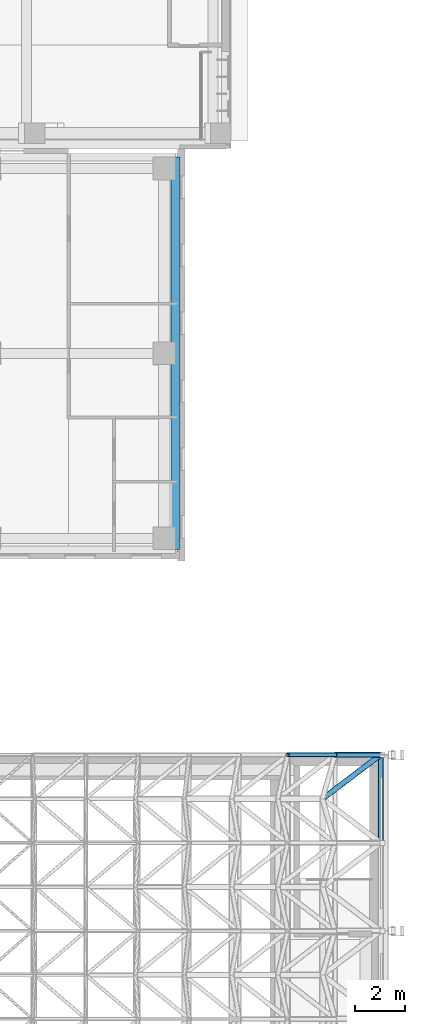
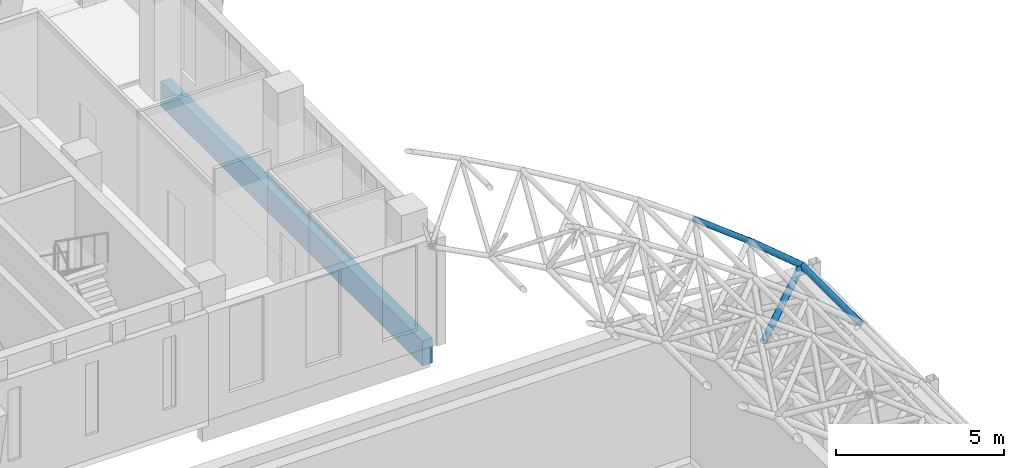
# One storey, part 58 of 141: 4 members, 1 beam.
"""IFC4 building model written with IfcOpenShell, lengths in metres."""

from ifc_helpers import new_model, si_unit, direction, frame, origin, origin_2d, place, context, subcontext, project, spatial, rectangle, hollow_circle, extrude, material, material_profile, profile_set, type_object, element, save


model = new_model("IFC4")

# Units and contexts
model_context = context("Model", 3, precision=1e-05, world=origin(), true_north=direction((0.0, 1.0)))
body_context = subcontext(model_context, "Body", "Model", "MODEL_VIEW")
ifc_project = project(units=[si_unit("LENGTHUNIT", "METRE"), si_unit("AREAUNIT", "SQUARE_METRE"), si_unit("VOLUMEUNIT", "CUBIC_METRE"), si_unit("PLANEANGLEUNIT", "RADIAN"), si_unit("MASSUNIT", "GRAM", prefix="KILO")], contexts=[model_context])

# Site, building, storey
site_placement = place(None, origin())
site = spatial("IfcSite", under=ifc_project, at=site_placement, CompositionType="ELEMENT")
building_placement = place(site_placement, origin())
building = spatial("IfcBuilding", under=site, at=building_placement, Name="Lantern Court Media Centre", CompositionType="ELEMENT")
storey_placement = place(building_placement, frame((0.0, 0.0, 9.60009765625)))
storey = spatial("IfcBuildingStorey", under=building, at=storey_placement, Name="L02", CompositionType="ELEMENT", Elevation=9.60009765625)

# Beam
ifc_material_1 = material(Name="Concrete C35", Category="concrete")
ifc_material_profile_1 = material_profile(ifc_material_1, rectangle(XDim=0.35009765625, YDim=0.89990234375, at=origin_2d()), Name="RC 350x900")
ifc_profile_set_1 = profile_set([ifc_material_profile_1], Name="Concrete C35")
beam_type = type_object("IfcBeamType", Name="RC BEAM 350x900", PredefinedType="BEAM", material=ifc_profile_set_1)
beam_placement = place(storey_placement, frame((95.85009765625, 48.14990234375, -0.4501953125), z_axis=(0.0, 1.0, 0.0), x_axis=(-1.0, 0.0, 0.0)))
element("IfcBeam", 1, at=beam_placement, inside=storey, type_object=beam_type, Name="EB-SE-L02-E", PredefinedType="BEAM", context=body_context, shape_type="SweptSolid", body=[
    extrude(rectangle(XDim=0.35009765625, YDim=0.89990234375, at=origin_2d()), origin(), (0.0, 0.0, 1.0), 15.60009765625),
])

# Members
ifc_material_2 = material(Name="Steel S355J2 (EN 10025-2)", Category="steel")
ifc_material_profile_2 = material_profile(ifc_material_2, hollow_circle(Radius=0.109619140625, WallThickness=0.010009765625, at=origin_2d()), Name="Studio Hall diagonal CHS 219.1x10")
ifc_profile_set_2 = profile_set([ifc_material_profile_2], Name="Steel S355J2 (EN 10025-2)")
member_type_1 = type_object("IfcMemberType", Name="Studio Hall diagonal CHS 219.1x10", PredefinedType="BRACE", material=ifc_profile_set_2)
member_1_placement = place(storey_placement, frame((101.6875, 38.25, 3.881591796875), z_axis=(0.760210907984, 0.575294741177, 0.301853169862), x_axis=(-0.603442670186, 0.797406385602, 0.0)))
element("IfcMember", 2, at=member_1_placement, inside=storey, type_object=member_type_1, Name="Studio Hall diagonal 16-12-3", PredefinedType="BRACE", context=body_context, shape_type="SweptSolid", body=[
    extrude(hollow_circle(Radius=0.109619140625, WallThickness=0.010009765625, at=origin_2d()), origin(), (0.0, 0.0, 1.0), 3.0419921875),
])
ifc_material_profile_3 = material_profile(ifc_material_2, hollow_circle(Radius=0.096923828125, WallThickness=0.012451171875, at=origin_2d()), Name="Studio Hall top CHS 193.7x12.5")
ifc_profile_set_3 = profile_set([ifc_material_profile_3], Name="Steel S355J2 (EN 10025-2)")
member_type_2 = type_object("IfcMemberType", Name="Studio Hall top CHS 193.7x12.5", PredefinedType="CHORD", material=ifc_profile_set_3)
member_2_placement = place(storey_placement, frame((100.30908203125, 40.0, 7.7666015625), z_axis=(0.791622688111, 0.0, -0.611010245141), x_axis=(0.0, 1.0, 0.0)))
element("IfcMember", 3, at=member_2_placement, inside=storey, type_object=member_type_2, Name="Studio Hall top chord 15-13 across", PredefinedType="CHORD", context=body_context, shape_type="SweptSolid", body=[
    extrude(hollow_circle(Radius=0.096923828125, WallThickness=0.012451171875, at=origin_2d()), origin(), (0.0, 0.0, 1.0), 2.3681640625),
])
ifc_material_profile_4 = material_profile(ifc_material_2, hollow_circle(Radius=0.109619140625, WallThickness=0.012451171875, at=origin_2d()), Name="Studio Hall top CHS 219.1x12.5")
ifc_profile_set_4 = profile_set([ifc_material_profile_4], Name="Steel S355J2 (EN 10025-2)")
member_type_3 = type_object("IfcMemberType", Name="Studio Hall top CHS 219.1x12.5", PredefinedType="CHORD", material=ifc_profile_set_4)
member_3_placement = place(storey_placement, frame((104.0, 36.5, 4.7998046875), z_axis=(0.0, 1.0, 0.0), x_axis=(-1.0, 0.0, 0.0)))
element("IfcMember", 4, at=member_3_placement, inside=storey, type_object=member_type_3, Name="Studio Hall top chord 17-12", PredefinedType="CHORD", context=body_context, shape_type="SweptSolid", body=[
    extrude(hollow_circle(Radius=0.109619140625, WallThickness=0.012451171875, at=origin_2d()), origin(), (0.0, 0.0, 1.0), 3.5),
])
member_4_placement = place(storey_placement, frame((102.183837890625, 40.0, 6.319580078125), z_axis=(0.766909881815, 0.0, -0.641754807675), x_axis=(0.0, 1.0, 0.0)))
element("IfcMember", 5, at=member_4_placement, inside=storey, type_object=member_type_3, Name="Studio Hall top chord 16-13 across", PredefinedType="CHORD", context=body_context, shape_type="SweptSolid", body=[
    extrude(hollow_circle(Radius=0.109619140625, WallThickness=0.012451171875, at=origin_2d()), origin(), (0.0, 0.0, 1.0), 2.3681640625),
])

save(model, "model.ifc")
